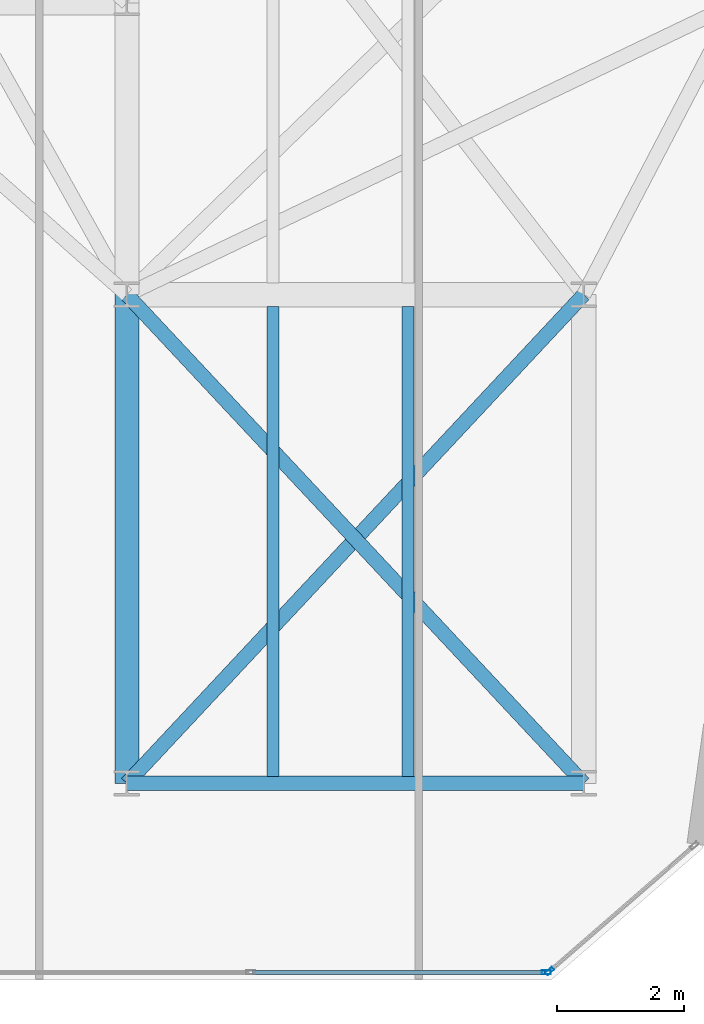
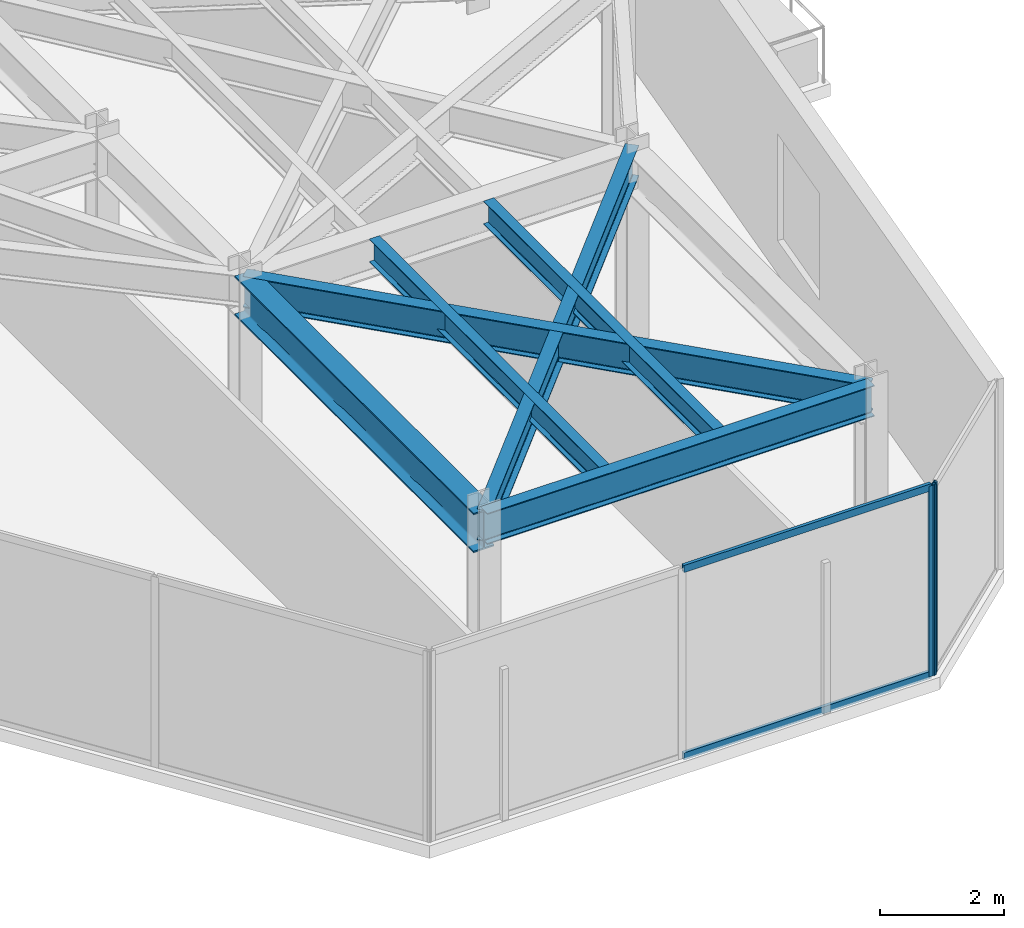
# One storey, part 11 of 21: 6 beams, 4 members, 2 elements without a shape of their own.
"""IFC4 building model written with IfcOpenShell, lengths in metres."""

from ifc_helpers import new_model, si_unit, direction, frame, origin, origin_2d, place, context, subcontext, project, spatial, hollow_rectangle, i_section, extrude, material, layer, layer_set, material_profile, profile_set, type_object, element, aggregate, save


model = new_model("IFC4")

# Units and contexts
model_context = context("Model", 3, precision=1e-05, world=origin(), true_north=direction((0.0, 1.0)))
body_context = subcontext(model_context, "Body", "Model", "MODEL_VIEW")
ifc_project = project(units=[si_unit("LENGTHUNIT", "METRE"), si_unit("AREAUNIT", "SQUARE_METRE"), si_unit("VOLUMEUNIT", "CUBIC_METRE"), si_unit("PLANEANGLEUNIT", "RADIAN"), si_unit("MASSUNIT", "GRAM", prefix="KILO")], contexts=[model_context])

# Site, building, storey
site_placement = place(None, origin())
site = spatial("IfcSite", under=ifc_project, at=site_placement, CompositionType="ELEMENT")
building_placement = place(site_placement, origin())
building = spatial("IfcBuilding", under=site, at=building_placement, Name="Kravanh Interchange Tower", CompositionType="ELEMENT")
storey_placement = place(building_placement, frame((0.0, 0.0, 216.5)))
storey = spatial("IfcBuildingStorey", under=building, at=storey_placement, Name="L52", CompositionType="ELEMENT", Elevation=216.5)

# Curtain wall, member
ifc_material_1 = material(Name="Anodised Bronze Aluminium", Category="aluminium")
ifc_layer = layer(ifc_material_1, 0.179931640625)
ifc_layer_set = layer_set([ifc_layer], Name="Unitised Curtain Wall System CW-Z3 Upper Office")
curtain_wall_type = type_object("IfcCurtainWallType", Name="Unitised Curtain Wall System CW-Z3 Upper Office", PredefinedType="NOTDEFINED", material=ifc_layer_set)
curtain_wall_1_placement = place(storey_placement, origin())
curtain_wall_1 = element("IfcCurtainWall", 1, at=curtain_wall_1_placement, inside=storey, type_object=curtain_wall_type, Name="L52 Unitised Curtain Wall CW-L52-01", PredefinedType="NOTDEFINED")
ifc_material_2 = material(Name="Anodised Bronze Aluminium", Category="aluminium")
ifc_material_profile_1 = material_profile(ifc_material_2, hollow_rectangle(XDim=0.06005859375, YDim=0.139892578125, WallThickness=0.00390625, at=origin_2d()), Name="ALU60X140X4")
ifc_profile_set_1 = profile_set([ifc_material_profile_1], Name="Anodised Bronze Aluminium")
member_type_1 = type_object("IfcMemberType", Name="Curtain Wall Mullion ALU60X140X4 Bronze", PredefinedType="MULLION", material=ifc_profile_set_1)
member_1_placement = place(storey_placement, frame((62.66357421875, 11.539794921875, 0.0), z_axis=(0.0, 0.0, 1.0), x_axis=(0.65605090137, -0.754716645379, 0.0)))
member_1 = element("IfcMember", 2, at=member_1_placement, type_object=member_type_1, Name="CW-Z3 mullion 2", PredefinedType="MULLION", context=body_context, shape_type="SweptSolid", body=[
    extrude(hollow_rectangle(XDim=0.06005859375, YDim=0.139892578125, WallThickness=0.00390625, at=origin_2d()), origin(), (0.0, 0.0, 1.0), 3.7451171875),
])
aggregate(curtain_wall_1, [member_1])

# Curtain wall, members
curtain_wall_2_placement = place(storey_placement, origin())
curtain_wall_2 = element("IfcCurtainWall", 3, at=curtain_wall_2_placement, inside=storey, type_object=curtain_wall_type, Name="L52 Unitised Curtain Wall CW-L52-02", PredefinedType="NOTDEFINED")
member_2_placement = place(storey_placement, frame((62.611083984375, 11.52001953125, 0.0), z_axis=(0.0, 0.0, 1.0), x_axis=(0.0, -1.0, 0.0)))
member_2 = element("IfcMember", 4, at=member_2_placement, type_object=member_type_1, Name="CW-Z3 mullion 1", PredefinedType="MULLION", context=body_context, shape_type="SweptSolid", body=[
    extrude(hollow_rectangle(XDim=0.06005859375, YDim=0.139892578125, WallThickness=0.00390625, at=origin_2d()), origin(), (0.0, 0.0, 1.0), 3.7451171875),
])
ifc_material_3 = material(Name="Anodised Bronze Aluminium", Category="aluminium")
ifc_material_profile_2 = material_profile(ifc_material_3, hollow_rectangle(XDim=0.06005859375, YDim=0.139892578125, WallThickness=0.00390625, at=origin_2d()), Name="ALU60X140X4")
ifc_profile_set_2 = profile_set([ifc_material_profile_2], Name="Anodised Bronze Aluminium")
member_type_2 = type_object("IfcMemberType", Name="Curtain Wall Transom ALU60X140X4 Bronze", PredefinedType="USERDEFINED", material=ifc_profile_set_2)
member_3_placement = place(storey_placement, frame((62.5810546875, 11.52001953125, 0.030029296875), z_axis=(-1.0, 0.0, 0.0), x_axis=(0.0, -1.0, 0.0)))
member_3 = element("IfcMember", 5, at=member_3_placement, type_object=member_type_2, Name="CW-Z3 transom 1.1", ObjectType="TRANSOM", PredefinedType="USERDEFINED", context=body_context, shape_type="SweptSolid", body=[
    extrude(hollow_rectangle(XDim=0.06005859375, YDim=0.139892578125, WallThickness=0.00390625, at=origin_2d()), origin(), (0.0, 0.0, 1.0), 4.59912109375),
])
member_4_placement = place(storey_placement, frame((62.5810546875, 11.52001953125, 3.715087890625), z_axis=(-1.0, 0.0, 0.0), x_axis=(0.0, -1.0, 0.0)))
member_4 = element("IfcMember", 6, at=member_4_placement, type_object=member_type_2, Name="CW-Z3 transom 1.2", ObjectType="TRANSOM", PredefinedType="USERDEFINED", context=body_context, shape_type="SweptSolid", body=[
    extrude(hollow_rectangle(XDim=0.06005859375, YDim=0.139892578125, WallThickness=0.00390625, at=origin_2d()), origin(), (0.0, 0.0, 1.0), 4.59912109375),
])
aggregate(curtain_wall_2, [member_2, member_3, member_4])

# Beams
ifc_material_4 = material(Name="Structural Steel S355", Category="steel")
ifc_material_profile_3 = material_profile(ifc_material_4, i_section(OverallWidth=0.381103515625, OverallDepth=0.77294921875, WebThickness=0.0166015625, FlangeThickness=0.027099609375, FilletRadius=0.02490234375, at=origin_2d()), Name="W30X173")
ifc_profile_set_3 = profile_set([ifc_material_profile_3], Name="Structural Steel S355")
beam_type_1 = type_object("IfcBeamType", Name="Floor Beam W30X173 Structural Steel S355", PredefinedType="BEAM", material=ifc_profile_set_3)
beam_1_placement = place(storey_placement, frame((56.0, 14.5, 3.3583984375), z_axis=(0.0, 1.0, 0.0), x_axis=(-1.0, 0.0, 0.0)))
element("IfcBeam", 7, at=beam_1_placement, inside=storey, type_object=beam_type_1, Name="L52 Primary Floor Girder 87", PredefinedType="BEAM", context=body_context, shape_type="SweptSolid", body=[
    extrude(i_section(OverallWidth=0.381103515625, OverallDepth=0.77294921875, WebThickness=0.0166015625, FlangeThickness=0.027099609375, FilletRadius=0.02490234375, at=origin_2d()), origin(), (0.0, 0.0, 1.0), 7.699951171875),
])
ifc_material_5 = material(Name="Structural Steel S355", Category="steel")
ifc_material_profile_4 = material_profile(ifc_material_5, i_section(OverallWidth=0.18994140625, OverallDepth=0.45703125, WebThickness=0.009033203125, FlangeThickness=0.014404296875, FilletRadius=0.01806640625, at=origin_2d()), Name="W18X50")
ifc_profile_set_4 = profile_set([ifc_material_profile_4], Name="Structural Steel S355")
beam_type_2 = type_object("IfcBeamType", Name="Floor Joist W18X50 Structural Steel S355", PredefinedType="JOIST", material=ifc_profile_set_4)
for number, where, z_axis, x_axis, name in (
    (8, (58.302001953125, 14.60888671875, 3.5166015625), (0.0, 1.0, 0.0), (-1.0, 0.0, 0.0), "L52 Secondary Floor Joist 3"),
    (9, (60.426025390625, 14.60888671875, 3.5166015625), (0.0, 1.0, 0.0), (-1.0, 0.0, 0.0), "L52 Secondary Floor Joist 4"),
):
    element("IfcBeam", number, at=place(storey_placement, frame(where, z_axis=z_axis, x_axis=x_axis)), inside=storey, type_object=beam_type_2, Name=name, PredefinedType="JOIST", context=body_context, shape_type="SweptSolid", body=[
        extrude(i_section(OverallWidth=0.18994140625, OverallDepth=0.45703125, WebThickness=0.009033203125, FlangeThickness=0.014404296875, FilletRadius=0.01806640625, at=origin_2d()), origin(), (0.0, 0.0, 1.0), 7.405517578125),
    ])
ifc_material_6 = material(Name="Structural Steel S355", Category="steel")
ifc_material_profile_5 = material_profile(ifc_material_6, i_section(OverallWidth=0.22802734375, OverallDepth=0.60791015625, WebThickness=0.01123046875, FlangeThickness=0.017333984375, FilletRadius=0.02197265625, at=origin_2d()), Name="W24X76")
ifc_profile_set_5 = profile_set([ifc_material_profile_5], Name="Structural Steel S355")
beam_type_3 = type_object("IfcBeamType", Name="Floor Spandrel W24X76 Structural Steel S355", PredefinedType="SPANDREL", material=ifc_profile_set_5)
beam_2_placement = place(storey_placement, frame((56.0, 14.5, 3.44091796875), z_axis=(1.0, 0.0, 0.0), x_axis=(0.0, 1.0, 0.0)))
element("IfcBeam", 10, at=beam_2_placement, inside=storey, type_object=beam_type_3, Name="L52 Perimeter Spandrel 86", PredefinedType="SPANDREL", context=body_context, shape_type="SweptSolid", body=[
    extrude(i_section(OverallWidth=0.22802734375, OverallDepth=0.60791015625, WebThickness=0.01123046875, FlangeThickness=0.017333984375, FilletRadius=0.02197265625, at=origin_2d()), origin(), (0.0, 0.0, 1.0), 7.199951171875),
])
for number, where, z_axis, x_axis, name in (
    (11, (56.0, 14.5, 3.44091796875), (0.682993762113, 0.73042420614, 0.0), (-0.73042420614, 0.682993762113, 0.0), "L52 Perimeter Spandrel 88"),
    (12, (63.199951171875, 14.5, 3.44091796875), (-0.682993762113, 0.73042420614, 0.0), (-0.73042420614, -0.682993762113, 0.0), "L52 Perimeter Spandrel 90"),
):
    element("IfcBeam", number, at=place(storey_placement, frame(where, z_axis=z_axis, x_axis=x_axis)), inside=storey, type_object=beam_type_3, Name=name, PredefinedType="SPANDREL", context=body_context, shape_type="SweptSolid", body=[
        extrude(i_section(OverallWidth=0.22802734375, OverallDepth=0.60791015625, WebThickness=0.01123046875, FlangeThickness=0.017333984375, FilletRadius=0.02197265625, at=origin_2d()), origin(), (0.0, 0.0, 1.0), 10.541748046875),
    ])

save(model, "model.ifc")
